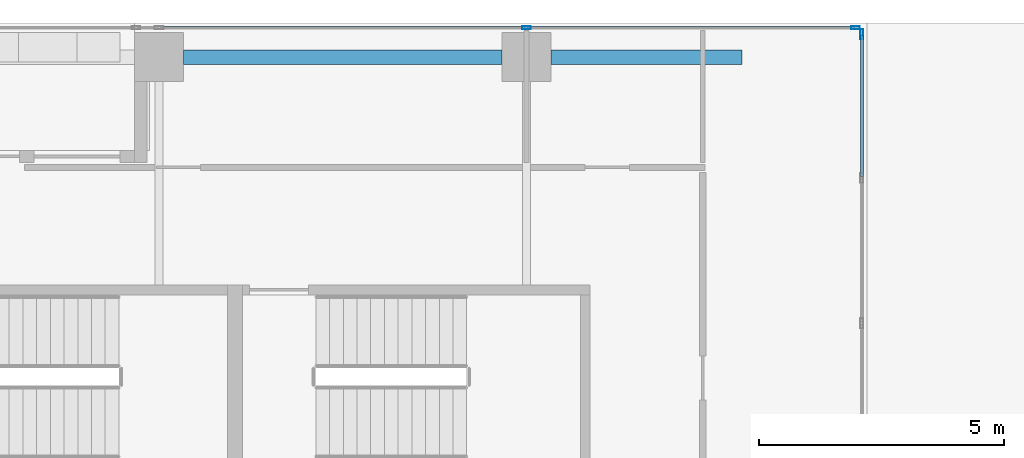
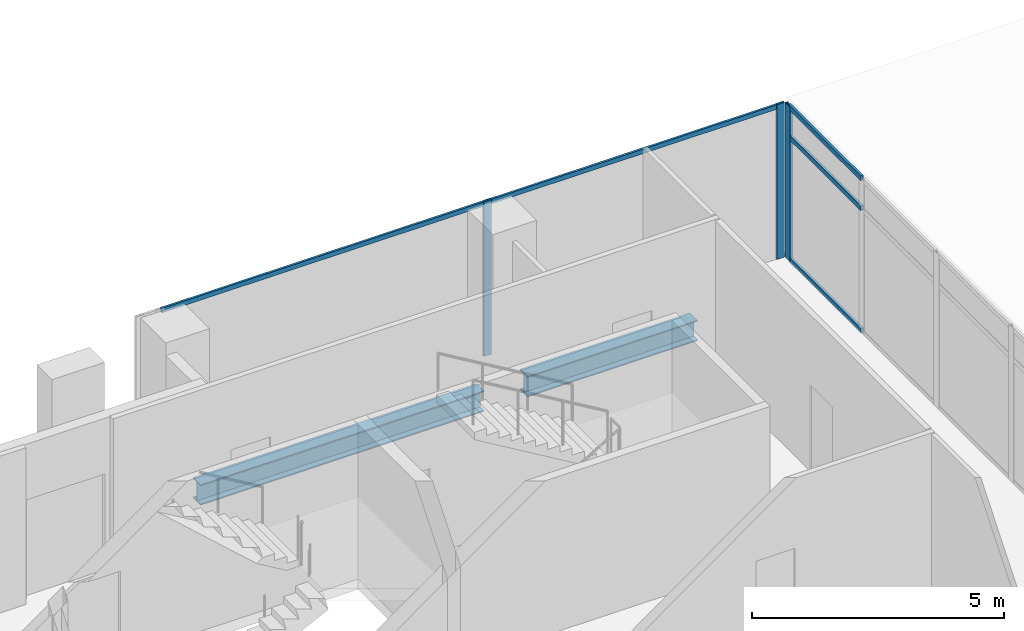
# One storey, part 23 of 40: 8 members, 2 beams, 2 elements without a shape of their own.
"""IFC4 building model written with IfcOpenShell, lengths in metres."""

from ifc_helpers import new_model, si_unit, direction, frame, origin, origin_2d, place, context, subcontext, project, spatial, hollow_rectangle, i_section, extrude, source, transform, mapped, material, material_profile, profile_set, type_object, element, aggregate, save


model = new_model("IFC4")

# Units and contexts
model_context = context("Model", 3, precision=1e-05, world=origin(), true_north=direction((0.0, 1.0)))
body_context = subcontext(model_context, "Body", "Model", "MODEL_VIEW")
ifc_project = project(units=[si_unit("LENGTHUNIT", "METRE"), si_unit("AREAUNIT", "SQUARE_METRE"), si_unit("VOLUMEUNIT", "CUBIC_METRE"), si_unit("PLANEANGLEUNIT", "RADIAN"), si_unit("MASSUNIT", "GRAM", prefix="KILO")], contexts=[model_context])

# Site, building, storey
site_placement = place(None, origin())
site = spatial("IfcSite", under=ifc_project, at=site_placement, CompositionType="ELEMENT")
building_placement = place(site_placement, origin())
building = spatial("IfcBuilding", under=site, at=building_placement, Name="Khomas Fold Tower", CompositionType="ELEMENT")
storey_placement = place(building_placement, frame((0.0, 0.0, 184.699951171875)))
storey = spatial("IfcBuildingStorey", under=building, at=storey_placement, Name="L40", CompositionType="ELEMENT", Elevation=184.699951171875)

# Beams
ifc_material_1 = material(Name="Steel S355", Category="steel")
ifc_material_profile_1 = material_profile(ifc_material_1, i_section(OverallWidth=0.300048828125, OverallDepth=0.5, WebThickness=0.014404296875, FlangeThickness=0.028076171875, at=origin_2d()), Name="HE 500 B")
ifc_profile_set_1 = profile_set([ifc_material_profile_1], Name="Steel S355")
beam_type = type_object("IfcBeamType", Name="HE 500 B spandrel SB3", PredefinedType="SPANDREL", material=ifc_profile_set_1)
shared_shape_1 = source(origin(), body_context, "Body", "SweptSolid", [
    extrude(i_section(OverallWidth=0.300048828125, OverallDepth=0.5, WebThickness=0.014404296875, FlangeThickness=0.028076171875, at=origin_2d()), origin(), (0.0, 0.0, 1.0), 6.5),
])
beam_1_placement = place(storey_placement, frame((20.0, 50.300048828125, -0.5), z_axis=(1.0, 0.0, 0.0), x_axis=(0.0, 1.0, 0.0)))
element("IfcBeam", 1, at=beam_1_placement, inside=storey, type_object=beam_type, Name="SB3", PredefinedType="SPANDREL", context=body_context, shape_type="MappedRepresentation", body=[
    mapped(shared_shape_1, transform((0.0, 0.0, 0.0))),
])
shared_shape_2 = source(origin(), body_context, "Body", "SweptSolid", [
    extrude(i_section(OverallWidth=0.300048828125, OverallDepth=0.5, WebThickness=0.014404296875, FlangeThickness=0.028076171875, at=origin_2d()), origin(), (0.0, 0.0, 1.0), 3.89990234375),
])
beam_2_placement = place(storey_placement, frame((27.5, 50.300048828125, -0.5), z_axis=(1.0, 0.0, 0.0), x_axis=(0.0, 1.0, 0.0)))
element("IfcBeam", 2, at=beam_2_placement, inside=storey, type_object=beam_type, Name="SB3", PredefinedType="SPANDREL", context=body_context, shape_type="MappedRepresentation", body=[
    mapped(shared_shape_2, transform((0.0, 0.0, 0.0))),
])

# Curtain wall, members
ifc_material_2 = material(Name="Aluminium framed double glazing", Category="aluminium")
curtain_wall_type_1 = type_object("IfcCurtainWallType", Name="SK-Unitised clear-glass wall, office floors CW2", PredefinedType="NOTDEFINED", material=ifc_material_2)
curtain_wall_1_placement = place(storey_placement, origin())
curtain_wall_1 = element("IfcCurtainWall", 3, at=curtain_wall_1_placement, inside=storey, type_object=curtain_wall_type_1, Name="CW2 run L40 15-0", PredefinedType="NOTDEFINED")
ifc_material_3 = material(Name="Aluminium", Category="aluminium")
ifc_material_profile_2 = material_profile(ifc_material_3, hollow_rectangle(XDim=0.06005859375, YDim=0.179931640625, WallThickness=0.00390625, at=origin_2d()), Name="SK-Unitised clear-glass wall, office floors mullion CW2-M")
ifc_profile_set_2 = profile_set([ifc_material_profile_2], Name="Aluminium")
member_type_1 = type_object("IfcMemberType", Name="SK-Unitised clear-glass wall, office floors mullion CW2-M", PredefinedType="MULLION", material=ifc_profile_set_2)
shared_shape_3 = source(origin(), body_context, "Body", "SweptSolid", [
    extrude(hollow_rectangle(XDim=0.06005859375, YDim=0.179931640625, WallThickness=0.00390625, at=origin_2d()), origin(), (0.0, 0.0, 1.0), 3.75),
])
member_1_placement = place(storey_placement, frame((33.719970703125, 50.89990234375, 0.0), z_axis=(0.0, 0.0, 1.0), x_axis=(0.0, -1.0, 0.0)))
member_1 = element("IfcMember", 4, at=member_1_placement, type_object=member_type_1, Name="CW2 mullion 1", PredefinedType="MULLION", context=body_context, shape_type="MappedRepresentation", body=[
    mapped(shared_shape_3, transform((0.0, 0.0, 0.0))),
])
member_2_placement = place(storey_placement, frame((27.0, 50.89990234375, 0.0), z_axis=(0.0, 0.0, 1.0), x_axis=(0.0, -1.0, 0.0)))
member_2 = element("IfcMember", 5, at=member_2_placement, type_object=member_type_1, Name="CW2 mullion 2", PredefinedType="MULLION", context=body_context, shape_type="MappedRepresentation", body=[
    mapped(shared_shape_3, transform((0.0, 0.0, 0.0))),
])
ifc_material_4 = material(Name="Aluminium", Category="aluminium")
ifc_material_profile_3 = material_profile(ifc_material_4, hollow_rectangle(XDim=0.050048828125, YDim=0.110107421875, WallThickness=0.00390625, at=origin_2d()), Name="SK-Unitised clear-glass wall, office floors transom CW2-T")
ifc_profile_set_3 = profile_set([ifc_material_profile_3], Name="Aluminium")
member_type_2 = type_object("IfcMemberType", Name="SK-Unitised clear-glass wall, office floors transom CW2-T", PredefinedType="USERDEFINED", material=ifc_profile_set_3)
shared_shape_4 = source(origin(), body_context, "Body", "SweptSolid", [
    extrude(hollow_rectangle(XDim=0.050048828125, YDim=0.110107421875, WallThickness=0.00390625, at=origin_2d()), origin(), (0.0, 0.0, 1.0), 7.43994140625),
])
member_3_placement = place(storey_placement, frame((26.969970703125, 50.89990234375, 3.695068359375), z_axis=(-1.0, 0.0, 0.0), x_axis=(0.0, -1.0, 0.0)))
member_3 = element("IfcMember", 6, at=member_3_placement, type_object=member_type_2, Name="CW2 transom 2", ObjectType="TRANSOM", PredefinedType="USERDEFINED", context=body_context, shape_type="MappedRepresentation", body=[
    mapped(shared_shape_4, transform((0.0, 0.0, 0.0))),
])
shared_shape_5 = source(origin(), body_context, "Body", "SweptSolid", [
    extrude(hollow_rectangle(XDim=0.050048828125, YDim=0.110107421875, WallThickness=0.00390625, at=origin_2d()), origin(), (0.0, 0.0, 1.0), 6.659912109375),
])
member_4_placement = place(storey_placement, frame((33.68994140625, 50.89990234375, 3.695068359375), z_axis=(-1.0, 0.0, 0.0), x_axis=(0.0, -1.0, 0.0)))
member_4 = element("IfcMember", 7, at=member_4_placement, type_object=member_type_2, Name="CW2 transom 1", ObjectType="TRANSOM", PredefinedType="USERDEFINED", context=body_context, shape_type="MappedRepresentation", body=[
    mapped(shared_shape_5, transform((0.0, 0.0, 0.0))),
])
aggregate(curtain_wall_1, [member_1, member_2, member_4, member_3])

ifc_material_5 = material(Name="Aluminium framed double glazing", Category="aluminium")
curtain_wall_type_2 = type_object("IfcCurtainWallType", Name="Notch glazing GN-CW", PredefinedType="NOTDEFINED", material=ifc_material_5)
curtain_wall_2_placement = place(storey_placement, origin())
curtain_wall_2 = element("IfcCurtainWall", 8, at=curtain_wall_2_placement, inside=storey, type_object=curtain_wall_type_2, Name="Notch glazing run", PredefinedType="NOTDEFINED")
ifc_material_6 = material(Name="Aluminium", Category="aluminium")
ifc_material_profile_4 = material_profile(ifc_material_6, hollow_rectangle(XDim=0.06005859375, YDim=0.1201171875, WallThickness=0.00390625, at=origin_2d()), Name="Notch glazing transom GN-CW-T")
ifc_profile_set_4 = profile_set([ifc_material_profile_4], Name="Aluminium")
member_type_3 = type_object("IfcMemberType", Name="Notch glazing transom GN-CW-T", PredefinedType="USERDEFINED", material=ifc_profile_set_4)
shared_shape_6 = source(origin(), body_context, "Body", "SweptSolid", [
    extrude(hollow_rectangle(XDim=0.06005859375, YDim=0.1201171875, WallThickness=0.00390625, at=origin_2d()), origin(), (0.0, 0.0, 1.0), 2.876708984375),
])
member_5_placement = place(storey_placement, frame((33.85009765625, 47.86328125, 0.030029296875), z_axis=(0.0, 1.0, 0.0), x_axis=(-1.0, 0.0, 0.0)))
member_5 = element("IfcMember", 9, at=member_5_placement, type_object=member_type_3, Name="GN-CW transom 6.1", ObjectType="TRANSOM", PredefinedType="USERDEFINED", context=body_context, shape_type="MappedRepresentation", body=[
    mapped(shared_shape_6, transform((0.0, 0.0, 0.0))),
])
member_6_placement = place(storey_placement, frame((33.85009765625, 47.86328125, 3.0), z_axis=(0.0, 1.0, 0.0), x_axis=(-1.0, 0.0, 0.0)))
member_6 = element("IfcMember", 10, at=member_6_placement, type_object=member_type_3, Name="GN-CW transom 6.2", ObjectType="TRANSOM", PredefinedType="USERDEFINED", context=body_context, shape_type="MappedRepresentation", body=[
    mapped(shared_shape_6, transform((0.0, 0.0, 0.0))),
])
member_7_placement = place(storey_placement, frame((33.85009765625, 47.86328125, 3.719970703125), z_axis=(0.0, 1.0, 0.0), x_axis=(-1.0, 0.0, 0.0)))
member_7 = element("IfcMember", 11, at=member_7_placement, type_object=member_type_3, Name="GN-CW transom 6.3", ObjectType="TRANSOM", PredefinedType="USERDEFINED", context=body_context, shape_type="MappedRepresentation", body=[
    mapped(shared_shape_6, transform((0.0, 0.0, 0.0))),
])
ifc_material_7 = material(Name="Aluminium", Category="aluminium")
ifc_material_profile_5 = material_profile(ifc_material_7, hollow_rectangle(XDim=0.06005859375, YDim=0.199951171875, WallThickness=0.00390625, at=origin_2d()), Name="Notch glazing mullion GN-CW-M")
ifc_profile_set_5 = profile_set([ifc_material_profile_5], Name="Aluminium")
member_type_4 = type_object("IfcMemberType", Name="Notch glazing mullion GN-CW-M", PredefinedType="MULLION", material=ifc_profile_set_5)
shared_shape_7 = source(origin(), body_context, "Body", "SweptSolid", [
    extrude(hollow_rectangle(XDim=0.06005859375, YDim=0.199951171875, WallThickness=0.00390625, at=origin_2d()), origin(), (0.0, 0.0, 1.0), 3.75),
])
member_8_placement = place(storey_placement, frame((33.85009765625, 50.77001953125, 0.0), z_axis=(0.0, 0.0, 1.0), x_axis=(-1.0, 0.0, 0.0)))
member_8 = element("IfcMember", 12, at=member_8_placement, type_object=member_type_4, Name="GN-CW mullion 7", PredefinedType="MULLION", context=body_context, shape_type="MappedRepresentation", body=[
    mapped(shared_shape_7, transform((0.0, 0.0, 0.0))),
])
aggregate(curtain_wall_2, [member_8, member_5, member_6, member_7])

save(model, "model.ifc")
